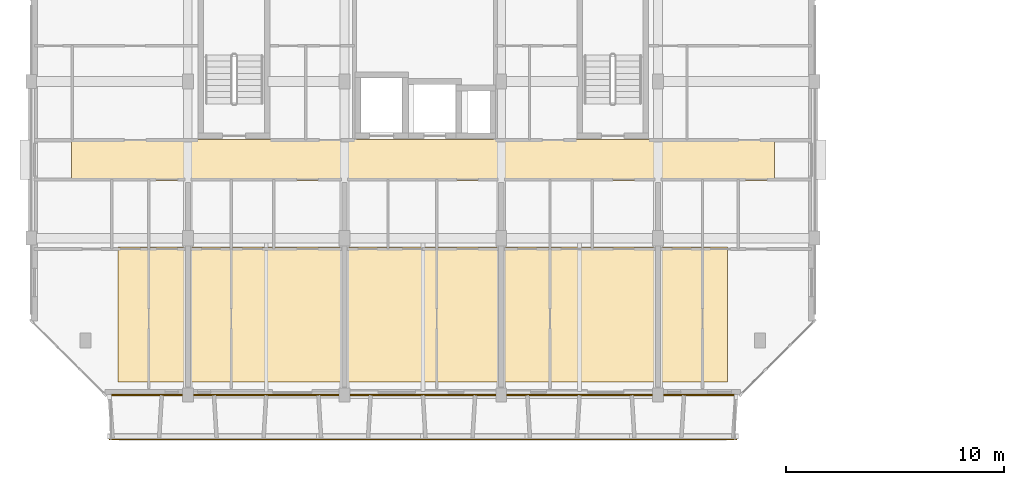
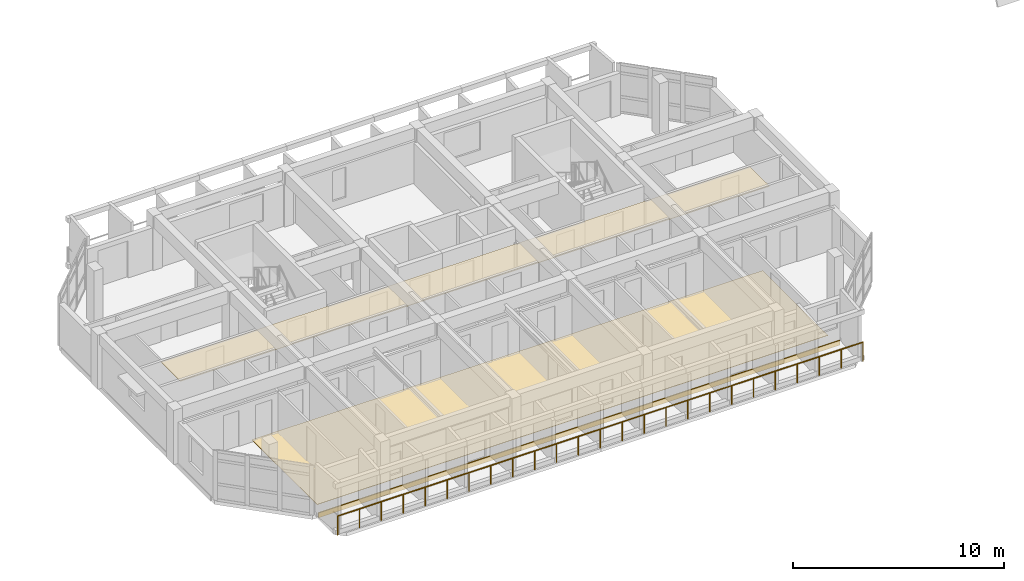
# One storey, part 42 of 51: 3 coverings, 1 railing.
"""IFC4 building model written with IfcOpenShell, lengths in metres."""

from ifc_helpers import new_model, si_unit, direction, frame, origin, origin_2d, place, context, subcontext, project, spatial, polyline, rectangle, circle, outline, extrude, material, layer, layer_set, type_object, element, save


model = new_model("IFC4")

# Units and contexts
model_context = context("Model", 3, precision=1e-05, world=origin(), true_north=direction((0.0, 1.0)))
body_context = subcontext(model_context, "Body", "Model", "MODEL_VIEW")
ifc_project = project(units=[si_unit("LENGTHUNIT", "METRE"), si_unit("AREAUNIT", "SQUARE_METRE"), si_unit("VOLUMEUNIT", "CUBIC_METRE"), si_unit("PLANEANGLEUNIT", "RADIAN"), si_unit("MASSUNIT", "GRAM", prefix="KILO")], contexts=[model_context])

# Site, building, storey
site_placement = place(None, origin())
site = spatial("IfcSite", under=ifc_project, at=site_placement, CompositionType="ELEMENT")
building_placement = place(site_placement, origin())
building = spatial("IfcBuilding", under=site, at=building_placement, Name="Ochrevale Crest", CompositionType="ELEMENT")
storey_placement = place(building_placement, frame((0.0, 0.0, 11.85009765625)))
storey = spatial("IfcBuildingStorey", under=building, at=storey_placement, Name="L03", CompositionType="ELEMENT", Elevation=11.85009765625)

# Coverings
ifc_material_1 = material(Name="Gypsum plasterboard", Category="gypsum")
ifc_layer_1 = layer(ifc_material_1, 0.02490234375)
ifc_layer_set_1 = layer_set([ifc_layer_1], Name="Gypsum plasterboard")
covering_type_1 = type_object("IfcCoveringType", Name="COV-CEIL-GYP", PredefinedType="CEILING", material=ifc_layer_set_1)
covering_1_placement = place(storey_placement, frame((0.0, 0.0, 2.27978515625)))
element("IfcCovering", 1, at=covering_1_placement, inside=storey, type_object=covering_type_1, Name="Block A L03 acoustic corridor ceiling", PredefinedType="CEILING", context=body_context, shape_type="SweptSolid", body=[
    extrude(outline(polyline([(1.85009765625, 24.260009765625), (34.14990234375, 24.260009765625), (34.14990234375, 26.139892578125), (1.85009765625, 26.139892578125), (1.85009765625, 24.260009765625)])), origin(), (0.0, 0.0, 1.0), 0.025146484375),
])
ifc_material_2 = material(Name="Glazed terracotta rainscreen tile", Category="masonry")
ifc_layer_2 = layer(ifc_material_2, 0.048095703125)
ifc_layer_set_2 = layer_set([ifc_layer_2], Name="Glazed terracotta rainscreen tile")
covering_type_2 = type_object("IfcCoveringType", Name="COV-CLAD-TER", PredefinedType="CLADDING", material=ifc_layer_set_2)
covering_2_placement = place(storey_placement, frame((18.0, 14.387451171875, -0.26025390625), z_axis=(0.0, 0.0, 1.0), x_axis=(1.0, 0.0, 0.0)))
element("IfcCovering", 2, at=covering_2_placement, inside=storey, type_object=covering_type_2, Name="Block A L03 terracotta slab-edge spandrel cladding", PredefinedType="CLADDING", context=body_context, shape_type="SweptSolid", body=[
    extrude(rectangle(XDim=28.60009765625, YDim=0.06005859375, at=origin_2d()), origin(), (0.0, 0.0, 1.0), 0.280029296875),
])
ifc_material_3 = material(Name="Engineered spotted-gum hardwood flooring", Category="wood")
ifc_layer_3 = layer(ifc_material_3, 0.02001953125)
ifc_layer_set_3 = layer_set([ifc_layer_3], Name="Engineered spotted-gum hardwood flooring")
covering_type_3 = type_object("IfcCoveringType", Name="COV-FLR-TIM", PredefinedType="FLOORING", material=ifc_layer_set_3)
covering_3_placement = place(storey_placement, origin())
element("IfcCovering", 3, at=covering_3_placement, inside=storey, type_object=covering_type_3, Name="Block A L03 spotted-gum apartment flooring", PredefinedType="FLOORING", context=body_context, shape_type="SweptSolid", body=[
    extrude(outline(polyline([(4.0, 15.0), (32.0, 15.0), (32.0, 21.199951171875), (4.0, 21.199951171875), (4.0, 15.0)])), origin(), (0.0, 0.0, 1.0), 0.02001953125),
])

# Railing
ifc_material_4 = material(Name="Galvanised steel", Category="steel")
railing_type = type_object("IfcRailingType", Name="RL-BAL-1100", PredefinedType="BALUSTRADE", material=ifc_material_4)
railing_placement = place(storey_placement, frame((3.60009765625, 12.360107421875, 0.0)))
element("IfcRailing", 4, at=railing_placement, inside=storey, type_object=railing_type, Name="Block A L03 S balcony front balustrade", PredefinedType="BALUSTRADE", context=body_context, shape_type="SweptSolid", body=[
    extrude(circle(Radius=0.02392578125, at=origin_2d()), frame((0.0, 0.0, 1.0859375), z_axis=(1.0, 0.0, 0.0), x_axis=(0.0, 1.0, 0.0)), (0.0, 0.0, 1.0), 28.7998046875),
    extrude(circle(Radius=0.02099609375, at=origin_2d()), origin(), (0.0, 0.0, 1.0), 1.06201171875),
    extrude(circle(Radius=0.02099609375, at=origin_2d()), frame((1.199951171875, 0.0, 0.0)), (0.0, 0.0, 1.0), 1.06201171875),
    extrude(circle(Radius=0.02099609375, at=origin_2d()), frame((2.39990234375, 0.0, 0.0)), (0.0, 0.0, 1.0), 1.06201171875),
    extrude(circle(Radius=0.02099609375, at=origin_2d()), frame((3.60009765625, 0.0, 0.0)), (0.0, 0.0, 1.0), 1.06201171875),
    extrude(circle(Radius=0.02099609375, at=origin_2d()), frame((4.800048828125, 0.0, 0.0)), (0.0, 0.0, 1.0), 1.06201171875),
    extrude(circle(Radius=0.02099609375, at=origin_2d()), frame((6.0, 0.0, 0.0)), (0.0, 0.0, 1.0), 1.06201171875),
    extrude(circle(Radius=0.02099609375, at=origin_2d()), frame((7.199951171875, 0.0, 0.0)), (0.0, 0.0, 1.0), 1.06201171875),
    extrude(circle(Radius=0.02099609375, at=origin_2d()), frame((8.39990234375, 0.0, 0.0)), (0.0, 0.0, 1.0), 1.06201171875),
    extrude(circle(Radius=0.02099609375, at=origin_2d()), frame((9.599853515625, 0.0, 0.0)), (0.0, 0.0, 1.0), 1.06201171875),
    extrude(circle(Radius=0.02099609375, at=origin_2d()), frame((10.7998046875, 0.0, 0.0)), (0.0, 0.0, 1.0), 1.06201171875),
    extrude(circle(Radius=0.02099609375, at=origin_2d()), frame((12.0, 0.0, 0.0)), (0.0, 0.0, 1.0), 1.06201171875),
    extrude(circle(Radius=0.02099609375, at=origin_2d()), frame((13.199951171875, 0.0, 0.0)), (0.0, 0.0, 1.0), 1.06201171875),
    extrude(circle(Radius=0.02099609375, at=origin_2d()), frame((14.39990234375, 0.0, 0.0)), (0.0, 0.0, 1.0), 1.06201171875),
    extrude(circle(Radius=0.02099609375, at=origin_2d()), frame((15.599853515625, 0.0, 0.0)), (0.0, 0.0, 1.0), 1.06201171875),
    extrude(circle(Radius=0.02099609375, at=origin_2d()), frame((16.7998046875, 0.0, 0.0)), (0.0, 0.0, 1.0), 1.06201171875),
    extrude(circle(Radius=0.02099609375, at=origin_2d()), frame((18.0, 0.0, 0.0)), (0.0, 0.0, 1.0), 1.06201171875),
    extrude(circle(Radius=0.02099609375, at=origin_2d()), frame((19.199951171875, 0.0, 0.0)), (0.0, 0.0, 1.0), 1.06201171875),
    extrude(circle(Radius=0.02099609375, at=origin_2d()), frame((20.39990234375, 0.0, 0.0)), (0.0, 0.0, 1.0), 1.06201171875),
    extrude(circle(Radius=0.02099609375, at=origin_2d()), frame((21.599853515625, 0.0, 0.0)), (0.0, 0.0, 1.0), 1.06201171875),
    extrude(circle(Radius=0.02099609375, at=origin_2d()), frame((22.7998046875, 0.0, 0.0)), (0.0, 0.0, 1.0), 1.06201171875),
    extrude(circle(Radius=0.02099609375, at=origin_2d()), frame((23.999755859375, 0.0, 0.0)), (0.0, 0.0, 1.0), 1.06201171875),
    extrude(circle(Radius=0.02099609375, at=origin_2d()), frame((25.19970703125, 0.0, 0.0)), (0.0, 0.0, 1.0), 1.06201171875),
    extrude(circle(Radius=0.02099609375, at=origin_2d()), frame((26.39990234375, 0.0, 0.0)), (0.0, 0.0, 1.0), 1.06201171875),
    extrude(circle(Radius=0.02099609375, at=origin_2d()), frame((27.599853515625, 0.0, 0.0)), (0.0, 0.0, 1.0), 1.06201171875),
    extrude(circle(Radius=0.02099609375, at=origin_2d()), frame((28.7998046875, 0.0, 0.0)), (0.0, 0.0, 1.0), 1.06201171875),
])

save(model, "model.ifc")
